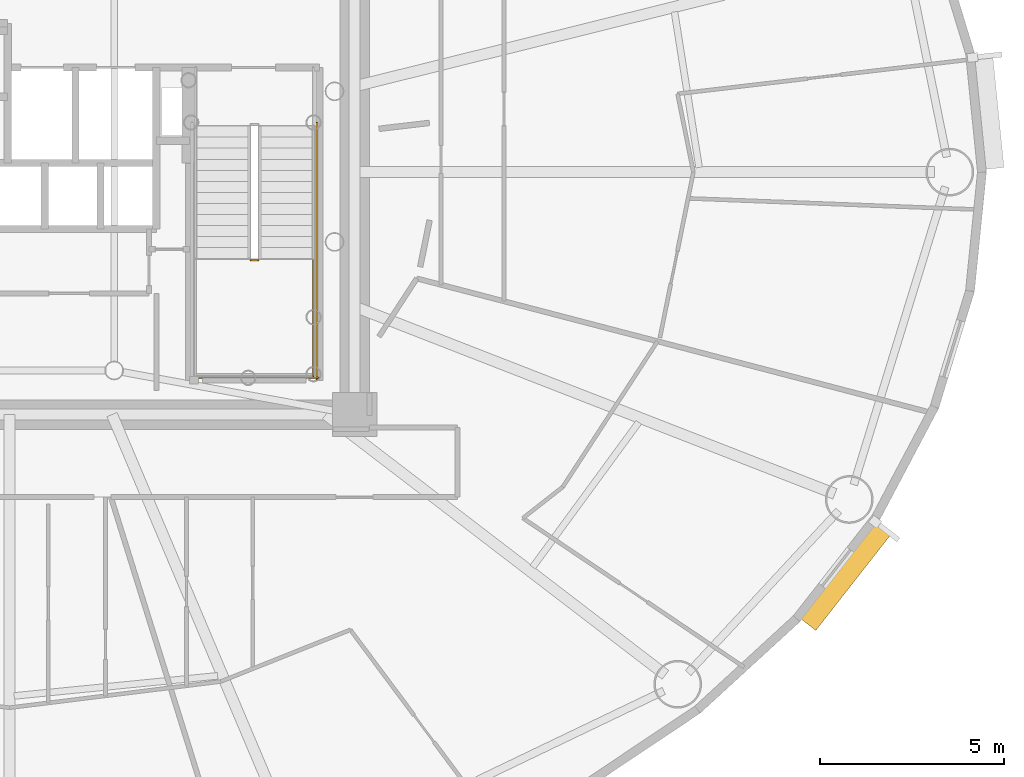
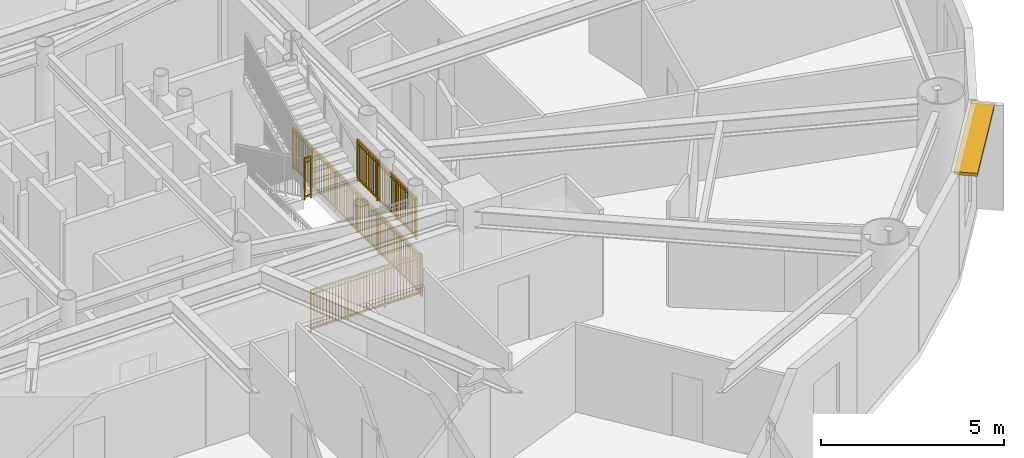
# One storey, part 16 of 17: 4 railings, 1 shading device.
"""IFC4 building model written with IfcOpenShell, lengths in metres."""

from ifc_helpers import new_model, si_unit, direction, frame, origin, origin_2d, place, context, subcontext, project, spatial, rectangle, extrude, source, transform, mapped, material, layer, layer_set, type_object, element, save


model = new_model("IFC4")

# Units and contexts
model_context = context("Model", 3, precision=1e-05, world=origin(), true_north=direction((0.0, 1.0)))
body_context = subcontext(model_context, "Body", "Model", "MODEL_VIEW")
ifc_project = project(units=[si_unit("LENGTHUNIT", "METRE"), si_unit("AREAUNIT", "SQUARE_METRE"), si_unit("VOLUMEUNIT", "CUBIC_METRE"), si_unit("PLANEANGLEUNIT", "RADIAN"), si_unit("MASSUNIT", "GRAM", prefix="KILO")], contexts=[model_context])

# Site, building, storey
site_placement = place(None, origin())
site = spatial("IfcSite", under=ifc_project, at=site_placement, CompositionType="ELEMENT")
building_placement = place(site_placement, origin())
building = spatial("IfcBuilding", under=site, at=building_placement, Name="Linh Dai School and Residence Tower", CompositionType="ELEMENT")
storey_placement = place(building_placement, frame((0.0, 0.0, 182.39990234375)))
storey = spatial("IfcBuildingStorey", under=building, at=storey_placement, Name="L44", CompositionType="ELEMENT", Elevation=182.39990234375)

# Shading device
ifc_material_1 = material(Name="Terracotta Ceramic Sunshade", Category="masonry")
ifc_layer = layer(ifc_material_1, 0.10009765625)
ifc_layer_set = layer_set([ifc_layer], Name="Terracotta Ceramic Sunshade")
shading_device_type = type_object("IfcShadingDeviceType", Name="SHD-TC-650", PredefinedType="USERDEFINED", material=ifc_layer_set)
shared_shape_1 = source(origin(), body_context, "Body", "SweptSolid", [
    extrude(rectangle(XDim=3.376708984375, YDim=0.64990234375, at=origin_2d()), origin(), (0.0, 0.0, 1.0), 0.10009765625),
])
shading_device_placement = place(storey_placement, frame((58.736572265625, 16.05078125, 3.380126953125), z_axis=(0.0, 0.0, 1.0), x_axis=(-0.616286337798, -0.787522158319, 0.0)))
element("IfcShadingDevice", 1, at=shading_device_placement, inside=storey, type_object=shading_device_type, Name="L44 Terracotta Horizontal Sunshade Band 37", ObjectType="SUNSHADE", PredefinedType="USERDEFINED", context=body_context, shape_type="MappedRepresentation", body=[
    mapped(shared_shape_1, transform((0.0, 0.0, 0.0), x_axis=(1.0, 0.0, 0.0), y_axis=(0.0, 1.0, 0.0), z_axis=(0.0, 0.0, 1.0), scale=1.0)),
])

# Railings
ifc_material_2 = material(Name="Structural Steel S355JR", Category="steel")
railing_type = type_object("IfcRailingType", Name="RL-ST-GUARD-1400", PredefinedType="GUARDRAIL", material=ifc_material_2)
shared_shape_2 = source(origin(), body_context, "Body", "SweptSolid", [
    extrude(rectangle(XDim=0.048095703125, YDim=0.048095703125, at=origin_2d()), frame((0.0, 0.0, 1.3759765625), z_axis=(1.0, 0.0, 0.0), x_axis=(0.0, 1.0, 0.0)), (0.0, 0.0, 1.0), 0.199951171875),
    extrude(rectangle(XDim=0.048095703125, YDim=0.048095703125, at=origin_2d()), frame((0.0, 0.0, 0.10009765625), z_axis=(1.0, 0.0, 0.0), x_axis=(0.0, 1.0, 0.0)), (0.0, 0.0, 1.0), 0.199951171875),
    extrude(rectangle(XDim=0.030029296875, YDim=0.030029296875, at=origin_2d()), frame((0.0, 0.0, 1.239990234375), z_axis=(1.0, 0.0, 0.0), x_axis=(0.0, 1.0, 0.0)), (0.0, 0.0, 1.0), 0.199951171875),
    extrude(rectangle(XDim=0.0419921875, YDim=0.0419921875, at=origin_2d()), origin(), (0.0, 0.0, 1.0), 1.3759765625),
    extrude(rectangle(XDim=0.0419921875, YDim=0.0419921875, at=origin_2d()), frame((0.199951171875, 0.0, 0.0)), (0.0, 0.0, 1.0), 1.3759765625),
])
railing_1_placement = place(storey_placement, frame((42.570068359375, 24.60009765625, 1.875)))
element("IfcRailing", 2, at=railing_1_placement, inside=storey, type_object=railing_type, Name="L44 ST2 stair guard 2", PredefinedType="GUARDRAIL", context=body_context, shape_type="MappedRepresentation", body=[
    mapped(shared_shape_2, transform((0.0, 0.0, 0.0), x_axis=(1.0, 0.0, 0.0), y_axis=(0.0, 1.0, 0.0), z_axis=(0.0, 0.0, 1.0), scale=1.0)),
])
shared_shape_3 = source(origin(), body_context, "Body", "SweptSolid", [
    extrude(rectangle(XDim=0.048095703125, YDim=0.048095703125, at=origin_2d()), frame((0.0, 0.0, 1.3759765625), z_axis=(0.0, -1.0, 0.0), x_axis=(1.0, 0.0, 0.0)), (0.0, 0.0, 1.0), 7.0),
    extrude(rectangle(XDim=0.048095703125, YDim=0.048095703125, at=origin_2d()), frame((0.0, 0.0, 0.10009765625), z_axis=(0.0, -1.0, 0.0), x_axis=(1.0, 0.0, 0.0)), (0.0, 0.0, 1.0), 7.0),
    extrude(rectangle(XDim=0.030029296875, YDim=0.030029296875, at=origin_2d()), frame((0.0, 0.0, 1.239990234375), z_axis=(0.0, -1.0, 0.0), x_axis=(1.0, 0.0, 0.0)), (0.0, 0.0, 1.0), 7.0),
    extrude(rectangle(XDim=0.02001953125, YDim=0.02001953125, at=origin_2d()), frame((0.0, -0.09716796875, 0.10009765625)), (0.0, 0.0, 1.0), 1.251708984375),
    extrude(rectangle(XDim=0.02001953125, YDim=0.02001953125, at=origin_2d()), frame((0.0, -0.1943359375, 0.10009765625)), (0.0, 0.0, 1.0), 1.251708984375),
    extrude(rectangle(XDim=0.02001953125, YDim=0.02001953125, at=origin_2d()), frame((0.0, -0.291748046875, 0.10009765625)), (0.0, 0.0, 1.0), 1.251708984375),
    extrude(rectangle(XDim=0.02001953125, YDim=0.02001953125, at=origin_2d()), frame((0.0, -0.388916015625, 0.10009765625)), (0.0, 0.0, 1.0), 1.251708984375),
    extrude(rectangle(XDim=0.02001953125, YDim=0.02001953125, at=origin_2d()), frame((0.0, -0.486083984375, 0.10009765625)), (0.0, 0.0, 1.0), 1.251708984375),
    extrude(rectangle(XDim=0.02001953125, YDim=0.02001953125, at=origin_2d()), frame((0.0, -0.583251953125, 0.10009765625)), (0.0, 0.0, 1.0), 1.251708984375),
    extrude(rectangle(XDim=0.02001953125, YDim=0.02001953125, at=origin_2d()), frame((0.0, -0.6806640625, 0.10009765625)), (0.0, 0.0, 1.0), 1.251708984375),
    extrude(rectangle(XDim=0.02001953125, YDim=0.02001953125, at=origin_2d()), frame((0.0, -0.77783203125, 0.10009765625)), (0.0, 0.0, 1.0), 1.251708984375),
    extrude(rectangle(XDim=0.02001953125, YDim=0.02001953125, at=origin_2d()), frame((0.0, -0.875, 0.10009765625)), (0.0, 0.0, 1.0), 1.251708984375),
    extrude(rectangle(XDim=0.02001953125, YDim=0.02001953125, at=origin_2d()), frame((0.0, -0.97216796875, 0.10009765625)), (0.0, 0.0, 1.0), 1.251708984375),
    extrude(rectangle(XDim=0.02001953125, YDim=0.02001953125, at=origin_2d()), frame((0.0, -1.0693359375, 0.10009765625)), (0.0, 0.0, 1.0), 1.251708984375),
    extrude(rectangle(XDim=0.02001953125, YDim=0.02001953125, at=origin_2d()), frame((0.0, -1.263916015625, 0.10009765625)), (0.0, 0.0, 1.0), 1.251708984375),
    extrude(rectangle(XDim=0.02001953125, YDim=0.02001953125, at=origin_2d()), frame((0.0, -1.361083984375, 0.10009765625)), (0.0, 0.0, 1.0), 1.251708984375),
    extrude(rectangle(XDim=0.02001953125, YDim=0.02001953125, at=origin_2d()), frame((0.0, -1.458251953125, 0.10009765625)), (0.0, 0.0, 1.0), 1.251708984375),
    extrude(rectangle(XDim=0.02001953125, YDim=0.02001953125, at=origin_2d()), frame((0.0, -1.5556640625, 0.10009765625)), (0.0, 0.0, 1.0), 1.251708984375),
    extrude(rectangle(XDim=0.02001953125, YDim=0.02001953125, at=origin_2d()), frame((0.0, -1.65283203125, 0.10009765625)), (0.0, 0.0, 1.0), 1.251708984375),
    extrude(rectangle(XDim=0.02001953125, YDim=0.02001953125, at=origin_2d()), frame((0.0, -1.75, 0.10009765625)), (0.0, 0.0, 1.0), 1.251708984375),
    extrude(rectangle(XDim=0.02001953125, YDim=0.02001953125, at=origin_2d()), frame((0.0, -1.84716796875, 0.10009765625)), (0.0, 0.0, 1.0), 1.251708984375),
    extrude(rectangle(XDim=0.02001953125, YDim=0.02001953125, at=origin_2d()), frame((0.0, -1.9443359375, 0.10009765625)), (0.0, 0.0, 1.0), 1.251708984375),
    extrude(rectangle(XDim=0.02001953125, YDim=0.02001953125, at=origin_2d()), frame((0.0, -2.041748046875, 0.10009765625)), (0.0, 0.0, 1.0), 1.251708984375),
    extrude(rectangle(XDim=0.02001953125, YDim=0.02001953125, at=origin_2d()), frame((0.0, -2.138916015625, 0.10009765625)), (0.0, 0.0, 1.0), 1.251708984375),
    extrude(rectangle(XDim=0.02001953125, YDim=0.02001953125, at=origin_2d()), frame((0.0, -2.236083984375, 0.10009765625)), (0.0, 0.0, 1.0), 1.251708984375),
    extrude(rectangle(XDim=0.02001953125, YDim=0.02001953125, at=origin_2d()), frame((0.0, -2.4306640625, 0.10009765625)), (0.0, 0.0, 1.0), 1.251708984375),
    extrude(rectangle(XDim=0.02001953125, YDim=0.02001953125, at=origin_2d()), frame((0.0, -2.52783203125, 0.10009765625)), (0.0, 0.0, 1.0), 1.251708984375),
    extrude(rectangle(XDim=0.02001953125, YDim=0.02001953125, at=origin_2d()), frame((0.0, -2.625, 0.10009765625)), (0.0, 0.0, 1.0), 1.251708984375),
    extrude(rectangle(XDim=0.02001953125, YDim=0.02001953125, at=origin_2d()), frame((0.0, -2.72216796875, 0.10009765625)), (0.0, 0.0, 1.0), 1.251708984375),
    extrude(rectangle(XDim=0.02001953125, YDim=0.02001953125, at=origin_2d()), frame((0.0, -2.8193359375, 0.10009765625)), (0.0, 0.0, 1.0), 1.251708984375),
    extrude(rectangle(XDim=0.02001953125, YDim=0.02001953125, at=origin_2d()), frame((0.0, -2.916748046875, 0.10009765625)), (0.0, 0.0, 1.0), 1.251708984375),
    extrude(rectangle(XDim=0.02001953125, YDim=0.02001953125, at=origin_2d()), frame((0.0, -3.013916015625, 0.10009765625)), (0.0, 0.0, 1.0), 1.251708984375),
    extrude(rectangle(XDim=0.02001953125, YDim=0.02001953125, at=origin_2d()), frame((0.0, -3.111083984375, 0.10009765625)), (0.0, 0.0, 1.0), 1.251708984375),
    extrude(rectangle(XDim=0.02001953125, YDim=0.02001953125, at=origin_2d()), frame((0.0, -3.208251953125, 0.10009765625)), (0.0, 0.0, 1.0), 1.251708984375),
    extrude(rectangle(XDim=0.02001953125, YDim=0.02001953125, at=origin_2d()), frame((0.0, -3.3056640625, 0.10009765625)), (0.0, 0.0, 1.0), 1.251708984375),
    extrude(rectangle(XDim=0.02001953125, YDim=0.02001953125, at=origin_2d()), frame((0.0, -3.40283203125, 0.10009765625)), (0.0, 0.0, 1.0), 1.251708984375),
    extrude(rectangle(XDim=0.02001953125, YDim=0.02001953125, at=origin_2d()), frame((0.0, -3.59716796875, 0.10009765625)), (0.0, 0.0, 1.0), 1.251708984375),
    extrude(rectangle(XDim=0.02001953125, YDim=0.02001953125, at=origin_2d()), frame((0.0, -3.6943359375, 0.10009765625)), (0.0, 0.0, 1.0), 1.251708984375),
    extrude(rectangle(XDim=0.02001953125, YDim=0.02001953125, at=origin_2d()), frame((0.0, -3.791748046875, 0.10009765625)), (0.0, 0.0, 1.0), 1.251708984375),
    extrude(rectangle(XDim=0.02001953125, YDim=0.02001953125, at=origin_2d()), frame((0.0, -3.888916015625, 0.10009765625)), (0.0, 0.0, 1.0), 1.251708984375),
    extrude(rectangle(XDim=0.02001953125, YDim=0.02001953125, at=origin_2d()), frame((0.0, -3.986083984375, 0.10009765625)), (0.0, 0.0, 1.0), 1.251708984375),
    extrude(rectangle(XDim=0.02001953125, YDim=0.02001953125, at=origin_2d()), frame((0.0, -4.083251953125, 0.10009765625)), (0.0, 0.0, 1.0), 1.251708984375),
    extrude(rectangle(XDim=0.02001953125, YDim=0.02001953125, at=origin_2d()), frame((0.0, -4.1806640625, 0.10009765625)), (0.0, 0.0, 1.0), 1.251708984375),
    extrude(rectangle(XDim=0.02001953125, YDim=0.02001953125, at=origin_2d()), frame((0.0, -4.27783203125, 0.10009765625)), (0.0, 0.0, 1.0), 1.251708984375),
    extrude(rectangle(XDim=0.02001953125, YDim=0.02001953125, at=origin_2d()), frame((0.0, -4.375, 0.10009765625)), (0.0, 0.0, 1.0), 1.251708984375),
    extrude(rectangle(XDim=0.02001953125, YDim=0.02001953125, at=origin_2d()), frame((0.0, -4.47216796875, 0.10009765625)), (0.0, 0.0, 1.0), 1.251708984375),
    extrude(rectangle(XDim=0.02001953125, YDim=0.02001953125, at=origin_2d()), frame((0.0, -4.5693359375, 0.10009765625)), (0.0, 0.0, 1.0), 1.251708984375),
    extrude(rectangle(XDim=0.02001953125, YDim=0.02001953125, at=origin_2d()), frame((0.0, -4.763916015625, 0.10009765625)), (0.0, 0.0, 1.0), 1.251708984375),
    extrude(rectangle(XDim=0.02001953125, YDim=0.02001953125, at=origin_2d()), frame((0.0, -4.861083984375, 0.10009765625)), (0.0, 0.0, 1.0), 1.251708984375),
    extrude(rectangle(XDim=0.02001953125, YDim=0.02001953125, at=origin_2d()), frame((0.0, -4.958251953125, 0.10009765625)), (0.0, 0.0, 1.0), 1.251708984375),
    extrude(rectangle(XDim=0.02001953125, YDim=0.02001953125, at=origin_2d()), frame((0.0, -5.0556640625, 0.10009765625)), (0.0, 0.0, 1.0), 1.251708984375),
    extrude(rectangle(XDim=0.02001953125, YDim=0.02001953125, at=origin_2d()), frame((0.0, -5.15283203125, 0.10009765625)), (0.0, 0.0, 1.0), 1.251708984375),
    extrude(rectangle(XDim=0.02001953125, YDim=0.02001953125, at=origin_2d()), frame((0.0, -5.25, 0.10009765625)), (0.0, 0.0, 1.0), 1.251708984375),
    extrude(rectangle(XDim=0.02001953125, YDim=0.02001953125, at=origin_2d()), frame((0.0, -5.34716796875, 0.10009765625)), (0.0, 0.0, 1.0), 1.251708984375),
    extrude(rectangle(XDim=0.02001953125, YDim=0.02001953125, at=origin_2d()), frame((0.0, -5.4443359375, 0.10009765625)), (0.0, 0.0, 1.0), 1.251708984375),
    extrude(rectangle(XDim=0.02001953125, YDim=0.02001953125, at=origin_2d()), frame((0.0, -5.541748046875, 0.10009765625)), (0.0, 0.0, 1.0), 1.251708984375),
    extrude(rectangle(XDim=0.02001953125, YDim=0.02001953125, at=origin_2d()), frame((0.0, -5.638916015625, 0.10009765625)), (0.0, 0.0, 1.0), 1.251708984375),
    extrude(rectangle(XDim=0.02001953125, YDim=0.02001953125, at=origin_2d()), frame((0.0, -5.736083984375, 0.10009765625)), (0.0, 0.0, 1.0), 1.251708984375),
    extrude(rectangle(XDim=0.02001953125, YDim=0.02001953125, at=origin_2d()), frame((0.0, -5.9306640625, 0.10009765625)), (0.0, 0.0, 1.0), 1.251708984375),
    extrude(rectangle(XDim=0.02001953125, YDim=0.02001953125, at=origin_2d()), frame((0.0, -6.02783203125, 0.10009765625)), (0.0, 0.0, 1.0), 1.251708984375),
    extrude(rectangle(XDim=0.02001953125, YDim=0.02001953125, at=origin_2d()), frame((0.0, -6.125, 0.10009765625)), (0.0, 0.0, 1.0), 1.251708984375),
    extrude(rectangle(XDim=0.02001953125, YDim=0.02001953125, at=origin_2d()), frame((0.0, -6.22216796875, 0.10009765625)), (0.0, 0.0, 1.0), 1.251708984375),
    extrude(rectangle(XDim=0.02001953125, YDim=0.02001953125, at=origin_2d()), frame((0.0, -6.3193359375, 0.10009765625)), (0.0, 0.0, 1.0), 1.251708984375),
    extrude(rectangle(XDim=0.02001953125, YDim=0.02001953125, at=origin_2d()), frame((0.0, -6.416748046875, 0.10009765625)), (0.0, 0.0, 1.0), 1.251708984375),
    extrude(rectangle(XDim=0.02001953125, YDim=0.02001953125, at=origin_2d()), frame((0.0, -6.513916015625, 0.10009765625)), (0.0, 0.0, 1.0), 1.251708984375),
    extrude(rectangle(XDim=0.02001953125, YDim=0.02001953125, at=origin_2d()), frame((0.0, -6.611083984375, 0.10009765625)), (0.0, 0.0, 1.0), 1.251708984375),
    extrude(rectangle(XDim=0.02001953125, YDim=0.02001953125, at=origin_2d()), frame((0.0, -6.708251953125, 0.10009765625)), (0.0, 0.0, 1.0), 1.251708984375),
    extrude(rectangle(XDim=0.02001953125, YDim=0.02001953125, at=origin_2d()), frame((0.0, -6.8056640625, 0.10009765625)), (0.0, 0.0, 1.0), 1.251708984375),
    extrude(rectangle(XDim=0.02001953125, YDim=0.02001953125, at=origin_2d()), frame((0.0, -6.90283203125, 0.10009765625)), (0.0, 0.0, 1.0), 1.251708984375),
    extrude(rectangle(XDim=0.0419921875, YDim=0.0419921875, at=origin_2d()), origin(), (0.0, 0.0, 1.0), 1.3759765625),
    extrude(rectangle(XDim=0.0419921875, YDim=0.0419921875, at=origin_2d()), frame((0.0, -1.166748046875, 0.0)), (0.0, 0.0, 1.0), 1.3759765625),
    extrude(rectangle(XDim=0.0419921875, YDim=0.0419921875, at=origin_2d()), frame((0.0, -2.333251953125, 0.0)), (0.0, 0.0, 1.0), 1.3759765625),
    extrude(rectangle(XDim=0.0419921875, YDim=0.0419921875, at=origin_2d()), frame((0.0, -3.5, 0.0)), (0.0, 0.0, 1.0), 1.3759765625),
    extrude(rectangle(XDim=0.0419921875, YDim=0.0419921875, at=origin_2d()), frame((0.0, -4.666748046875, 0.0)), (0.0, 0.0, 1.0), 1.3759765625),
    extrude(rectangle(XDim=0.0419921875, YDim=0.0419921875, at=origin_2d()), frame((0.0, -5.833251953125, 0.0)), (0.0, 0.0, 1.0), 1.3759765625),
    extrude(rectangle(XDim=0.0419921875, YDim=0.0419921875, at=origin_2d()), frame((0.0, -7.0, 0.0)), (0.0, 0.0, 1.0), 1.3759765625),
])
railing_2_placement = place(storey_placement, frame((44.3701171875, 28.35009765625, 0.0)))
element("IfcRailing", 3, at=railing_2_placement, inside=storey, type_object=railing_type, Name="L44 ST2 stair guard 11", PredefinedType="GUARDRAIL", context=body_context, shape_type="MappedRepresentation", body=[
    mapped(shared_shape_3, transform((0.0, 0.0, 0.0), x_axis=(1.0, 0.0, 0.0), y_axis=(0.0, 1.0, 0.0), z_axis=(0.0, 0.0, 1.0), scale=1.0)),
])
shared_shape_4 = source(origin(), body_context, "Body", "SweptSolid", [
    extrude(rectangle(XDim=0.048095703125, YDim=0.048095703125, at=origin_2d()), frame((0.0, 0.0, 1.3759765625), z_axis=(1.0, 0.0, 0.0), x_axis=(0.0, 1.0, 0.0)), (0.0, 0.0, 1.0), 3.5),
    extrude(rectangle(XDim=0.048095703125, YDim=0.048095703125, at=origin_2d()), frame((0.0, 0.0, 0.10009765625), z_axis=(1.0, 0.0, 0.0), x_axis=(0.0, 1.0, 0.0)), (0.0, 0.0, 1.0), 3.5),
    extrude(rectangle(XDim=0.030029296875, YDim=0.030029296875, at=origin_2d()), frame((0.0, 0.0, 1.239990234375), z_axis=(1.0, 0.0, 0.0), x_axis=(0.0, 1.0, 0.0)), (0.0, 0.0, 1.0), 3.5),
    extrude(rectangle(XDim=0.02001953125, YDim=0.02001953125, at=origin_2d()), frame((0.09716796875, 0.0, 0.10009765625)), (0.0, 0.0, 1.0), 1.251708984375),
    extrude(rectangle(XDim=0.02001953125, YDim=0.02001953125, at=origin_2d()), frame((0.1943359375, 0.0, 0.10009765625)), (0.0, 0.0, 1.0), 1.251708984375),
    extrude(rectangle(XDim=0.02001953125, YDim=0.02001953125, at=origin_2d()), frame((0.291748046875, 0.0, 0.10009765625)), (0.0, 0.0, 1.0), 1.251708984375),
    extrude(rectangle(XDim=0.02001953125, YDim=0.02001953125, at=origin_2d()), frame((0.388916015625, 0.0, 0.10009765625)), (0.0, 0.0, 1.0), 1.251708984375),
    extrude(rectangle(XDim=0.02001953125, YDim=0.02001953125, at=origin_2d()), frame((0.486083984375, 0.0, 0.10009765625)), (0.0, 0.0, 1.0), 1.251708984375),
    extrude(rectangle(XDim=0.02001953125, YDim=0.02001953125, at=origin_2d()), frame((0.583251953125, 0.0, 0.10009765625)), (0.0, 0.0, 1.0), 1.251708984375),
    extrude(rectangle(XDim=0.02001953125, YDim=0.02001953125, at=origin_2d()), frame((0.6806640625, 0.0, 0.10009765625)), (0.0, 0.0, 1.0), 1.251708984375),
    extrude(rectangle(XDim=0.02001953125, YDim=0.02001953125, at=origin_2d()), frame((0.77783203125, 0.0, 0.10009765625)), (0.0, 0.0, 1.0), 1.251708984375),
    extrude(rectangle(XDim=0.02001953125, YDim=0.02001953125, at=origin_2d()), frame((0.875, 0.0, 0.10009765625)), (0.0, 0.0, 1.0), 1.251708984375),
    extrude(rectangle(XDim=0.02001953125, YDim=0.02001953125, at=origin_2d()), frame((0.97216796875, 0.0, 0.10009765625)), (0.0, 0.0, 1.0), 1.251708984375),
    extrude(rectangle(XDim=0.02001953125, YDim=0.02001953125, at=origin_2d()), frame((1.0693359375, 0.0, 0.10009765625)), (0.0, 0.0, 1.0), 1.251708984375),
    extrude(rectangle(XDim=0.02001953125, YDim=0.02001953125, at=origin_2d()), frame((1.263916015625, 0.0, 0.10009765625)), (0.0, 0.0, 1.0), 1.251708984375),
    extrude(rectangle(XDim=0.02001953125, YDim=0.02001953125, at=origin_2d()), frame((1.361083984375, 0.0, 0.10009765625)), (0.0, 0.0, 1.0), 1.251708984375),
    extrude(rectangle(XDim=0.02001953125, YDim=0.02001953125, at=origin_2d()), frame((1.458251953125, 0.0, 0.10009765625)), (0.0, 0.0, 1.0), 1.251708984375),
    extrude(rectangle(XDim=0.02001953125, YDim=0.02001953125, at=origin_2d()), frame((1.5556640625, 0.0, 0.10009765625)), (0.0, 0.0, 1.0), 1.251708984375),
    extrude(rectangle(XDim=0.02001953125, YDim=0.02001953125, at=origin_2d()), frame((1.65283203125, 0.0, 0.10009765625)), (0.0, 0.0, 1.0), 1.251708984375),
    extrude(rectangle(XDim=0.02001953125, YDim=0.02001953125, at=origin_2d()), frame((1.75, 0.0, 0.10009765625)), (0.0, 0.0, 1.0), 1.251708984375),
    extrude(rectangle(XDim=0.02001953125, YDim=0.02001953125, at=origin_2d()), frame((1.84716796875, 0.0, 0.10009765625)), (0.0, 0.0, 1.0), 1.251708984375),
    extrude(rectangle(XDim=0.02001953125, YDim=0.02001953125, at=origin_2d()), frame((1.9443359375, 0.0, 0.10009765625)), (0.0, 0.0, 1.0), 1.251708984375),
    extrude(rectangle(XDim=0.02001953125, YDim=0.02001953125, at=origin_2d()), frame((2.041748046875, 0.0, 0.10009765625)), (0.0, 0.0, 1.0), 1.251708984375),
    extrude(rectangle(XDim=0.02001953125, YDim=0.02001953125, at=origin_2d()), frame((2.138916015625, 0.0, 0.10009765625)), (0.0, 0.0, 1.0), 1.251708984375),
    extrude(rectangle(XDim=0.02001953125, YDim=0.02001953125, at=origin_2d()), frame((2.236083984375, 0.0, 0.10009765625)), (0.0, 0.0, 1.0), 1.251708984375),
    extrude(rectangle(XDim=0.02001953125, YDim=0.02001953125, at=origin_2d()), frame((2.4306640625, 0.0, 0.10009765625)), (0.0, 0.0, 1.0), 1.251708984375),
    extrude(rectangle(XDim=0.02001953125, YDim=0.02001953125, at=origin_2d()), frame((2.52783203125, 0.0, 0.10009765625)), (0.0, 0.0, 1.0), 1.251708984375),
    extrude(rectangle(XDim=0.02001953125, YDim=0.02001953125, at=origin_2d()), frame((2.625, 0.0, 0.10009765625)), (0.0, 0.0, 1.0), 1.251708984375),
    extrude(rectangle(XDim=0.02001953125, YDim=0.02001953125, at=origin_2d()), frame((2.72216796875, 0.0, 0.10009765625)), (0.0, 0.0, 1.0), 1.251708984375),
    extrude(rectangle(XDim=0.02001953125, YDim=0.02001953125, at=origin_2d()), frame((2.8193359375, 0.0, 0.10009765625)), (0.0, 0.0, 1.0), 1.251708984375),
    extrude(rectangle(XDim=0.02001953125, YDim=0.02001953125, at=origin_2d()), frame((2.916748046875, 0.0, 0.10009765625)), (0.0, 0.0, 1.0), 1.251708984375),
    extrude(rectangle(XDim=0.02001953125, YDim=0.02001953125, at=origin_2d()), frame((3.013916015625, 0.0, 0.10009765625)), (0.0, 0.0, 1.0), 1.251708984375),
    extrude(rectangle(XDim=0.02001953125, YDim=0.02001953125, at=origin_2d()), frame((3.111083984375, 0.0, 0.10009765625)), (0.0, 0.0, 1.0), 1.251708984375),
    extrude(rectangle(XDim=0.02001953125, YDim=0.02001953125, at=origin_2d()), frame((3.208251953125, 0.0, 0.10009765625)), (0.0, 0.0, 1.0), 1.251708984375),
    extrude(rectangle(XDim=0.02001953125, YDim=0.02001953125, at=origin_2d()), frame((3.3056640625, 0.0, 0.10009765625)), (0.0, 0.0, 1.0), 1.251708984375),
    extrude(rectangle(XDim=0.02001953125, YDim=0.02001953125, at=origin_2d()), frame((3.40283203125, 0.0, 0.10009765625)), (0.0, 0.0, 1.0), 1.251708984375),
    extrude(rectangle(XDim=0.0419921875, YDim=0.0419921875, at=origin_2d()), origin(), (0.0, 0.0, 1.0), 1.3759765625),
    extrude(rectangle(XDim=0.0419921875, YDim=0.0419921875, at=origin_2d()), frame((1.166748046875, 0.0, 0.0)), (0.0, 0.0, 1.0), 1.3759765625),
    extrude(rectangle(XDim=0.0419921875, YDim=0.0419921875, at=origin_2d()), frame((2.333251953125, 0.0, 0.0)), (0.0, 0.0, 1.0), 1.3759765625),
    extrude(rectangle(XDim=0.0419921875, YDim=0.0419921875, at=origin_2d()), frame((3.5, 0.0, 0.0)), (0.0, 0.0, 1.0), 1.3759765625),
])
railing_3_placement = place(storey_placement, frame((40.919921875, 21.39990234375, 0.0)))
element("IfcRailing", 4, at=railing_3_placement, inside=storey, type_object=railing_type, Name="L44 ST2 stair guard 12", PredefinedType="GUARDRAIL", context=body_context, shape_type="MappedRepresentation", body=[
    mapped(shared_shape_4, transform((0.0, 0.0, 0.0), x_axis=(1.0, 0.0, 0.0), y_axis=(0.0, 1.0, 0.0), z_axis=(0.0, 0.0, 1.0), scale=1.0)),
])
shared_shape_5 = source(origin(), body_context, "Body", "SweptSolid", [
    extrude(rectangle(XDim=0.048095703125, YDim=0.048095703125, at=origin_2d()), frame((0.0, 0.0, 1.3759765625), z_axis=(0.0, -1.0, 0.0), x_axis=(1.0, 0.0, 0.0)), (0.0, 0.0, 1.0), 3.199951171875),
    extrude(rectangle(XDim=0.048095703125, YDim=0.048095703125, at=origin_2d()), frame((0.0, 0.0, 0.10009765625), z_axis=(0.0, -1.0, 0.0), x_axis=(1.0, 0.0, 0.0)), (0.0, 0.0, 1.0), 3.199951171875),
    extrude(rectangle(XDim=0.030029296875, YDim=0.030029296875, at=origin_2d()), frame((0.0, 0.0, 1.239990234375), z_axis=(0.0, -1.0, 0.0), x_axis=(1.0, 0.0, 0.0)), (0.0, 0.0, 1.0), 3.199951171875),
    extrude(rectangle(XDim=0.02001953125, YDim=0.02001953125, at=origin_2d()), frame((0.0, -0.096923828125, 0.10009765625)), (0.0, 0.0, 1.0), 1.251708984375),
    extrude(rectangle(XDim=0.02001953125, YDim=0.02001953125, at=origin_2d()), frame((0.0, -0.19384765625, 0.10009765625)), (0.0, 0.0, 1.0), 1.251708984375),
    extrude(rectangle(XDim=0.02001953125, YDim=0.02001953125, at=origin_2d()), frame((0.0, -0.291015625, 0.10009765625)), (0.0, 0.0, 1.0), 1.251708984375),
    extrude(rectangle(XDim=0.02001953125, YDim=0.02001953125, at=origin_2d()), frame((0.0, -0.387939453125, 0.10009765625)), (0.0, 0.0, 1.0), 1.251708984375),
    extrude(rectangle(XDim=0.02001953125, YDim=0.02001953125, at=origin_2d()), frame((0.0, -0.48486328125, 0.10009765625)), (0.0, 0.0, 1.0), 1.251708984375),
    extrude(rectangle(XDim=0.02001953125, YDim=0.02001953125, at=origin_2d()), frame((0.0, -0.581787109375, 0.10009765625)), (0.0, 0.0, 1.0), 1.251708984375),
    extrude(rectangle(XDim=0.02001953125, YDim=0.02001953125, at=origin_2d()), frame((0.0, -0.6787109375, 0.10009765625)), (0.0, 0.0, 1.0), 1.251708984375),
    extrude(rectangle(XDim=0.02001953125, YDim=0.02001953125, at=origin_2d()), frame((0.0, -0.775634765625, 0.10009765625)), (0.0, 0.0, 1.0), 1.251708984375),
    extrude(rectangle(XDim=0.02001953125, YDim=0.02001953125, at=origin_2d()), frame((0.0, -0.872802734375, 0.10009765625)), (0.0, 0.0, 1.0), 1.251708984375),
    extrude(rectangle(XDim=0.02001953125, YDim=0.02001953125, at=origin_2d()), frame((0.0, -0.9697265625, 0.10009765625)), (0.0, 0.0, 1.0), 1.251708984375),
    extrude(rectangle(XDim=0.02001953125, YDim=0.02001953125, at=origin_2d()), frame((0.0, -1.16357421875, 0.10009765625)), (0.0, 0.0, 1.0), 1.251708984375),
    extrude(rectangle(XDim=0.02001953125, YDim=0.02001953125, at=origin_2d()), frame((0.0, -1.260498046875, 0.10009765625)), (0.0, 0.0, 1.0), 1.251708984375),
    extrude(rectangle(XDim=0.02001953125, YDim=0.02001953125, at=origin_2d()), frame((0.0, -1.357666015625, 0.10009765625)), (0.0, 0.0, 1.0), 1.251708984375),
    extrude(rectangle(XDim=0.02001953125, YDim=0.02001953125, at=origin_2d()), frame((0.0, -1.45458984375, 0.10009765625)), (0.0, 0.0, 1.0), 1.251708984375),
    extrude(rectangle(XDim=0.02001953125, YDim=0.02001953125, at=origin_2d()), frame((0.0, -1.551513671875, 0.10009765625)), (0.0, 0.0, 1.0), 1.251708984375),
    extrude(rectangle(XDim=0.02001953125, YDim=0.02001953125, at=origin_2d()), frame((0.0, -1.6484375, 0.10009765625)), (0.0, 0.0, 1.0), 1.251708984375),
    extrude(rectangle(XDim=0.02001953125, YDim=0.02001953125, at=origin_2d()), frame((0.0, -1.745361328125, 0.10009765625)), (0.0, 0.0, 1.0), 1.251708984375),
    extrude(rectangle(XDim=0.02001953125, YDim=0.02001953125, at=origin_2d()), frame((0.0, -1.84228515625, 0.10009765625)), (0.0, 0.0, 1.0), 1.251708984375),
    extrude(rectangle(XDim=0.02001953125, YDim=0.02001953125, at=origin_2d()), frame((0.0, -1.939453125, 0.10009765625)), (0.0, 0.0, 1.0), 1.251708984375),
    extrude(rectangle(XDim=0.02001953125, YDim=0.02001953125, at=origin_2d()), frame((0.0, -2.036376953125, 0.10009765625)), (0.0, 0.0, 1.0), 1.251708984375),
    extrude(rectangle(XDim=0.02001953125, YDim=0.02001953125, at=origin_2d()), frame((0.0, -2.230224609375, 0.10009765625)), (0.0, 0.0, 1.0), 1.251708984375),
    extrude(rectangle(XDim=0.02001953125, YDim=0.02001953125, at=origin_2d()), frame((0.0, -2.3271484375, 0.10009765625)), (0.0, 0.0, 1.0), 1.251708984375),
    extrude(rectangle(XDim=0.02001953125, YDim=0.02001953125, at=origin_2d()), frame((0.0, -2.42431640625, 0.10009765625)), (0.0, 0.0, 1.0), 1.251708984375),
    extrude(rectangle(XDim=0.02001953125, YDim=0.02001953125, at=origin_2d()), frame((0.0, -2.521240234375, 0.10009765625)), (0.0, 0.0, 1.0), 1.251708984375),
    extrude(rectangle(XDim=0.02001953125, YDim=0.02001953125, at=origin_2d()), frame((0.0, -2.6181640625, 0.10009765625)), (0.0, 0.0, 1.0), 1.251708984375),
    extrude(rectangle(XDim=0.02001953125, YDim=0.02001953125, at=origin_2d()), frame((0.0, -2.715087890625, 0.10009765625)), (0.0, 0.0, 1.0), 1.251708984375),
    extrude(rectangle(XDim=0.02001953125, YDim=0.02001953125, at=origin_2d()), frame((0.0, -2.81201171875, 0.10009765625)), (0.0, 0.0, 1.0), 1.251708984375),
    extrude(rectangle(XDim=0.02001953125, YDim=0.02001953125, at=origin_2d()), frame((0.0, -2.908935546875, 0.10009765625)), (0.0, 0.0, 1.0), 1.251708984375),
    extrude(rectangle(XDim=0.02001953125, YDim=0.02001953125, at=origin_2d()), frame((0.0, -3.006103515625, 0.10009765625)), (0.0, 0.0, 1.0), 1.251708984375),
    extrude(rectangle(XDim=0.02001953125, YDim=0.02001953125, at=origin_2d()), frame((0.0, -3.10302734375, 0.10009765625)), (0.0, 0.0, 1.0), 1.251708984375),
    extrude(rectangle(XDim=0.0419921875, YDim=0.0419921875, at=origin_2d()), origin(), (0.0, 0.0, 1.0), 1.3759765625),
    extrude(rectangle(XDim=0.0419921875, YDim=0.0419921875, at=origin_2d()), frame((0.0, -1.066650390625, 0.0)), (0.0, 0.0, 1.0), 1.3759765625),
    extrude(rectangle(XDim=0.0419921875, YDim=0.0419921875, at=origin_2d()), frame((0.0, -2.13330078125, 0.0)), (0.0, 0.0, 1.0), 1.3759765625),
    extrude(rectangle(XDim=0.0419921875, YDim=0.0419921875, at=origin_2d()), frame((0.0, -3.199951171875, 0.0)), (0.0, 0.0, 1.0), 1.3759765625),
])
railing_4_placement = place(storey_placement, frame((44.27001953125, 24.64990234375, 1.875)))
element("IfcRailing", 5, at=railing_4_placement, inside=storey, type_object=railing_type, Name="L44 ST2 stair guard 4", PredefinedType="GUARDRAIL", context=body_context, shape_type="MappedRepresentation", body=[
    mapped(shared_shape_5, transform((0.0, 0.0, 0.0), x_axis=(1.0, 0.0, 0.0), y_axis=(0.0, 1.0, 0.0), z_axis=(0.0, 0.0, 1.0), scale=1.0)),
])

save(model, "model.ifc")
